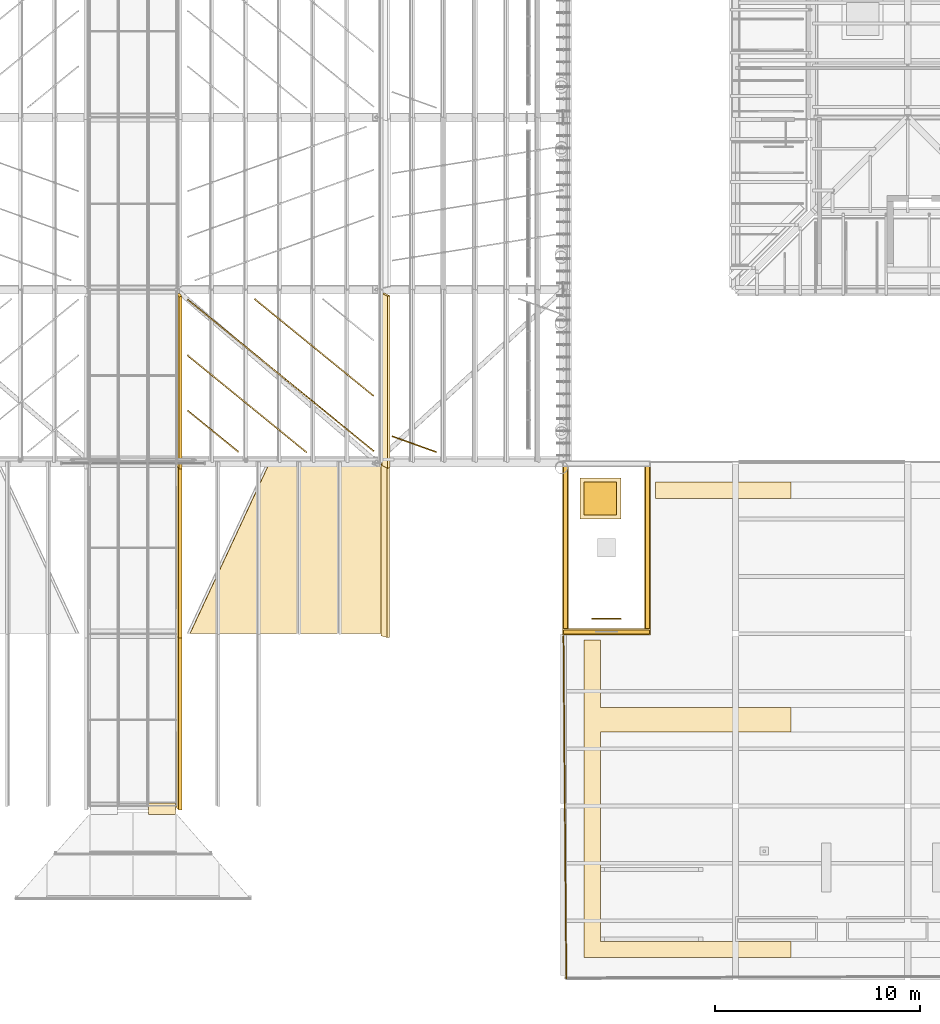
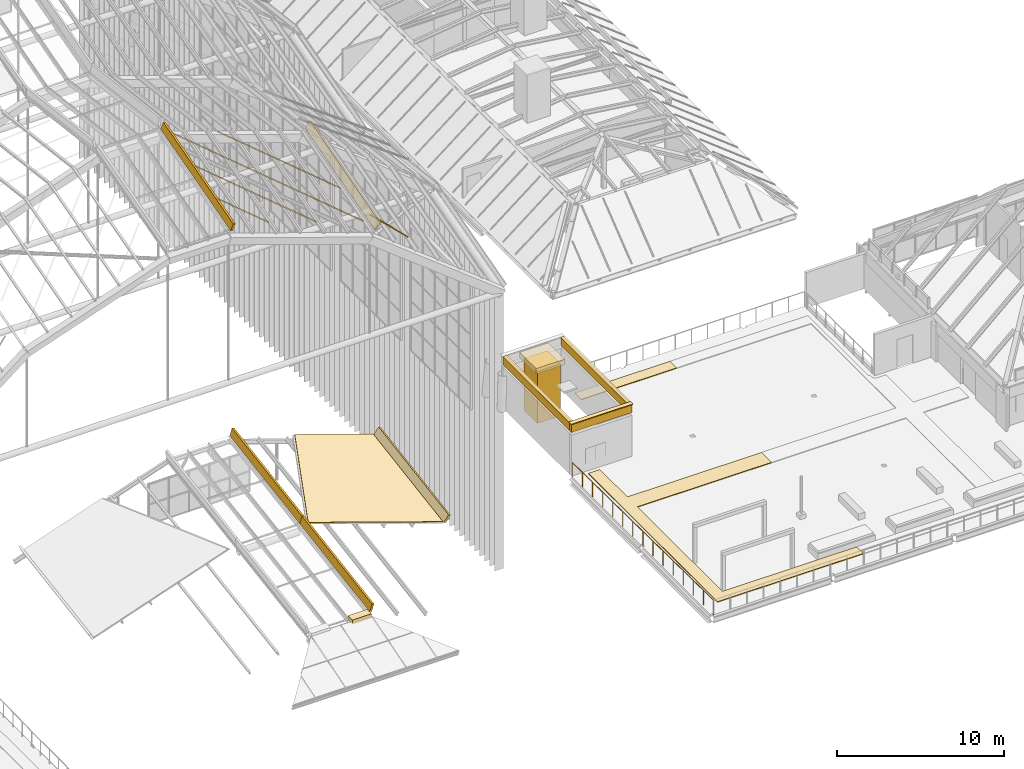
# One storey, part 103 of 126: 22 coverings, 2 railings.
"""IFC4 building model written with IfcOpenShell, lengths in metres."""

from ifc_helpers import new_model, si_unit, direction, frame, origin, origin_2d, place, context, subcontext, project, spatial, polyline, rectangle, circle, outline, extrude, material, layer, layer_set, material_profile, profile_set, type_object, element, save


model = new_model("IFC4")

# Units and contexts
model_context = context("Model", 3, precision=1e-05, world=origin(), true_north=direction((0.0, 1.0)))
body_context = subcontext(model_context, "Body", "Model", "MODEL_VIEW")
ifc_project = project(units=[si_unit("LENGTHUNIT", "METRE"), si_unit("AREAUNIT", "SQUARE_METRE"), si_unit("VOLUMEUNIT", "CUBIC_METRE"), si_unit("PLANEANGLEUNIT", "RADIAN"), si_unit("MASSUNIT", "GRAM", prefix="KILO")], contexts=[model_context])

# Site, building, storey
site_placement = place(None, origin())
site = spatial("IfcSite", under=ifc_project, at=site_placement, CompositionType="ELEMENT")
building_placement = place(site_placement, origin())
building = spatial("IfcBuilding", under=site, at=building_placement, Name="Sava Quay Ferry Terminal", CompositionType="ELEMENT")
storey_placement = place(building_placement, frame((0.0, 0.0, 15.0)))
storey = spatial("IfcBuildingStorey", under=building, at=storey_placement, Name="L03", CompositionType="ELEMENT", Elevation=15.0)

# Coverings
ifc_material_1 = material(Name="Steel S355", Category="steel")
ifc_material_profile = material_profile(ifc_material_1, rectangle(XDim=0.14990234375, YDim=0.60009765625, at=origin_2d()), Name="Cap 150 x 600")
ifc_profile_set = profile_set([ifc_material_profile], Name="Steel S355")
covering_type_1 = type_object("IfcCoveringType", Name="Crease capping 150x600", PredefinedType="MOLDING", material=ifc_profile_set)
for number, where, z_axis, x_axis, name in (
    (1, (65.26220703125, 50.128662109375, 19.864013671875), (0.0, 0.962818275279, 0.270149900588), (-0.987217634461, -0.043055946895, 0.15345203696), "Departure hall crease capping bay 1 crease 3"),
    (2, (75.342041015625, 50.156494140625, 16.40087890625), (0.0, 0.962818275279, 0.270149900588), (-0.885826064608, -0.12535426489, 0.446764469866), "Departure hall crease capping bay 1 crease 4"),
):
    element("IfcCovering", number, at=place(storey_placement, frame(where, z_axis=z_axis, x_axis=x_axis)), inside=storey, type_object=covering_type_1, Name=name, PredefinedType="MOLDING", context=body_context, shape_type="SweptSolid", body=[
        extrude(rectangle(XDim=0.14990234375, YDim=0.60009765625, at=origin_2d()), origin(), (0.0, 0.0, 1.0), 8.724609375),
    ])
covering_1_placement = place(storey_placement, frame((65.254150390625, 33.4521484375, 2.12109375), z_axis=(0.0, 0.987350755247, 0.158551209752), x_axis=(-0.986605539958, -0.025863541144, 0.161060813866)))
element("IfcCovering", 3, at=covering_1_placement, inside=storey, type_object=covering_type_1, Name="Arrivals hall crease capping bay 1 crease 3", PredefinedType="MOLDING", context=body_context, shape_type="SweptSolid", body=[
    extrude(rectangle(XDim=0.14990234375, YDim=0.60009765625, at=origin_2d()), origin(), (0.0, 0.0, 1.0), 8.507568359375),
])
covering_2_placement = place(storey_placement, frame((65.254150390625, 41.852294921875, 3.469970703125), z_axis=(0.0, 0.98736422906, 0.158467281081), x_axis=(-0.986605076852, -0.025850294201, 0.161065777305)))
element("IfcCovering", 4, at=covering_2_placement, inside=storey, type_object=covering_type_1, Name="Arrivals hall crease capping bay 2 crease 3", PredefinedType="MOLDING", context=body_context, shape_type="SweptSolid", body=[
    extrude(rectangle(XDim=0.14990234375, YDim=0.60009765625, at=origin_2d()), origin(), (0.0, 0.0, 1.0), 8.50732421875),
])
covering_3_placement = place(storey_placement, frame((75.31689453125, 41.867919921875, 0.007568359375), z_axis=(0.0, 0.987364949676, 0.158462791063), x_axis=(-0.881204241549, -0.074911025601, 0.466762705151)))
element("IfcCovering", 5, at=covering_3_placement, inside=storey, type_object=covering_type_1, Name="Arrivals hall crease capping bay 2 crease 4", PredefinedType="MOLDING", context=body_context, shape_type="SweptSolid", body=[
    extrude(rectangle(XDim=0.14990234375, YDim=0.60009765625, at=origin_2d()), origin(), (0.0, 0.0, 1.0), 8.507568359375),
])

# Railings
ifc_material_2 = material(Name="Steel S355", Category="steel")
railing_type_1 = type_object("IfcRailingType", Name="Edge guard 1100", PredefinedType="GUARDRAIL", material=ifc_material_2)
railing_1_placement = place(storey_placement, frame((84.139892578125, 25.199951171875, 0.0)))
element("IfcRailing", 6, at=railing_1_placement, inside=storey, type_object=railing_type_1, Name="Terrace edge guard", PredefinedType="GUARDRAIL", context=body_context, shape_type="SweptSolid", body=[
    extrude(circle(Radius=0.02392578125, at=origin_2d()), frame((0.0, 0.0, 1.076171875), z_axis=(-0.008386584633, 0.999964831981, 0.0), x_axis=(-0.999964831981, -0.008386584633, 0.0)), (0.0, 0.0, 1.0), 16.680419921875),
    extrude(circle(Radius=0.02099609375, at=origin_2d()), origin(), (0.0, 0.0, 1.0), 1.052001953125),
    extrude(circle(Radius=0.02099609375, at=origin_2d()), frame((-0.010009765625, 1.19140625, 0.0)), (0.0, 0.0, 1.0), 1.052001953125),
    extrude(circle(Radius=0.02099609375, at=origin_2d()), frame((-0.02001953125, 2.3828125, 0.0)), (0.0, 0.0, 1.0), 1.052001953125),
    extrude(circle(Radius=0.02099609375, at=origin_2d()), frame((-0.030029296875, 3.57421875, 0.0)), (0.0, 0.0, 1.0), 1.052001953125),
    extrude(circle(Radius=0.02099609375, at=origin_2d()), frame((-0.0400390625, 4.765625, 0.0)), (0.0, 0.0, 1.0), 1.052001953125),
    extrude(circle(Radius=0.02099609375, at=origin_2d()), frame((-0.050048828125, 5.95703125, 0.0)), (0.0, 0.0, 1.0), 1.052001953125),
    extrude(circle(Radius=0.02099609375, at=origin_2d()), frame((-0.06005859375, 7.1484375, 0.0)), (0.0, 0.0, 1.0), 1.052001953125),
    extrude(circle(Radius=0.02099609375, at=origin_2d()), frame((-0.06982421875, 8.33984375, 0.0)), (0.0, 0.0, 1.0), 1.052001953125),
    extrude(circle(Radius=0.02099609375, at=origin_2d()), frame((-0.079833984375, 9.531494140625, 0.0)), (0.0, 0.0, 1.0), 1.052001953125),
    extrude(circle(Radius=0.02099609375, at=origin_2d()), frame((-0.08984375, 10.722900390625, 0.0)), (0.0, 0.0, 1.0), 1.052001953125),
    extrude(circle(Radius=0.02099609375, at=origin_2d()), frame((-0.099853515625, 11.914306640625, 0.0)), (0.0, 0.0, 1.0), 1.052001953125),
    extrude(circle(Radius=0.02099609375, at=origin_2d()), frame((-0.10986328125, 13.105712890625, 0.0)), (0.0, 0.0, 1.0), 1.052001953125),
    extrude(circle(Radius=0.02099609375, at=origin_2d()), frame((-0.119873046875, 14.297119140625, 0.0)), (0.0, 0.0, 1.0), 1.052001953125),
    extrude(circle(Radius=0.02099609375, at=origin_2d()), frame((-0.1298828125, 15.488525390625, 0.0)), (0.0, 0.0, 1.0), 1.052001953125),
    extrude(circle(Radius=0.02099609375, at=origin_2d()), frame((-0.139892578125, 16.679931640625, 0.0)), (0.0, 0.0, 1.0), 1.052001953125),
])
ifc_material_3 = material(Name="Steel S355", Category="steel")
railing_type_2 = type_object("IfcRailingType", Name="Guard 1100", PredefinedType="GUARDRAIL", material=ifc_material_3)
railing_2_placement = place(storey_placement, frame((85.39990234375, 42.72998046875, 0.0)))
element("IfcRailing", 7, at=railing_2_placement, inside=storey, type_object=railing_type_2, Name="Guard at stair well ST-P1 L03", PredefinedType="GUARDRAIL", context=body_context, shape_type="SweptSolid", body=[
    extrude(circle(Radius=0.02392578125, at=origin_2d()), frame((0.0, 0.0, 1.076171875), z_axis=(1.0, 0.0, 0.0), x_axis=(0.0, 1.0, 0.0)), (0.0, 0.0, 1.0), 1.400146484375),
    extrude(circle(Radius=0.02099609375, at=origin_2d()), origin(), (0.0, 0.0, 1.0), 1.052001953125),
    extrude(circle(Radius=0.02099609375, at=origin_2d()), frame((0.7001953125, 0.0, 0.0)), (0.0, 0.0, 1.0), 1.052001953125),
    extrude(circle(Radius=0.02099609375, at=origin_2d()), frame((1.400146484375, 0.0, 0.0)), (0.0, 0.0, 1.0), 1.052001953125),
])

# Coverings
ifc_material_4 = material(Name="Limestone Mutalj", Category="masonry")
ifc_layer_1 = layer(ifc_material_4, 0.050048828125)
ifc_layer_set_1 = layer_set([ifc_layer_1], Name="Limestone Mutalj")
covering_type_2 = type_object("IfcCoveringType", Name="Overrun coping 300", PredefinedType="MOLDING", material=ifc_layer_set_1)
covering_4_placement = place(storey_placement, frame((86.10009765625, 42.10009765625, 3.7998046875), z_axis=(0.0, 0.0, 1.0), x_axis=(1.0, 0.0, 0.0)))
element("IfcCovering", 8, at=covering_4_placement, inside=storey, type_object=covering_type_2, Name="Overrun coping ST-P1 S", PredefinedType="MOLDING", context=body_context, shape_type="SweptSolid", body=[
    extrude(rectangle(XDim=4.300048828125, YDim=0.300048828125, at=origin_2d()), origin(), (0.0, 0.0, 1.0), 0.050048828125),
])
for number, where, z_axis, x_axis, name in (
    (9, (84.10009765625, 46.199951171875, 3.7998046875), (0.0, 0.0, 1.0), (1.0, 0.0, 0.0), "Overrun coping ST-P1 W"),
    (10, (88.10009765625, 46.199951171875, 3.7998046875), (0.0, 0.0, 1.0), (1.0, 0.0, 0.0), "Overrun coping ST-P1 E"),
):
    element("IfcCovering", number, at=place(storey_placement, frame(where, z_axis=z_axis, x_axis=x_axis)), inside=storey, type_object=covering_type_2, Name=name, PredefinedType="MOLDING", context=body_context, shape_type="SweptSolid", body=[
        extrude(rectangle(XDim=0.300048828125, YDim=7.89990234375, at=origin_2d()), origin(), (0.0, 0.0, 1.0), 0.050048828125),
    ])
ifc_material_5 = material(Name="Limestone Mutalj", Category="masonry")
ifc_layer_2 = layer(ifc_material_5, 0.199951171875)
ifc_layer_set_2 = layer_set([ifc_layer_2], Name="Limestone Mutalj")
covering_type_3 = type_object("IfcCoveringType", Name="Overrun parapet 200", PredefinedType="MOLDING", material=ifc_layer_set_2)
covering_5_placement = place(storey_placement, frame((86.10009765625, 42.10009765625, 3.199951171875), z_axis=(0.0, 0.0, 1.0), x_axis=(1.0, 0.0, 0.0)))
element("IfcCovering", 11, at=covering_5_placement, inside=storey, type_object=covering_type_3, Name="Overrun parapet ST-P1 S", PredefinedType="MOLDING", context=body_context, shape_type="SweptSolid", body=[
    extrude(rectangle(XDim=4.199951171875, YDim=0.199951171875, at=origin_2d()), origin(), (0.0, 0.0, 1.0), 0.60009765625),
])
for number, where, z_axis, x_axis, name in (
    (12, (84.10009765625, 46.199951171875, 3.199951171875), (0.0, 0.0, 1.0), (1.0, 0.0, 0.0), "Overrun parapet ST-P1 W"),
    (13, (88.10009765625, 46.199951171875, 3.199951171875), (0.0, 0.0, 1.0), (1.0, 0.0, 0.0), "Overrun parapet ST-P1 E"),
):
    element("IfcCovering", number, at=place(storey_placement, frame(where, z_axis=z_axis, x_axis=x_axis)), inside=storey, type_object=covering_type_3, Name=name, PredefinedType="MOLDING", context=body_context, shape_type="SweptSolid", body=[
        extrude(rectangle(XDim=0.199951171875, YDim=8.0, at=origin_2d()), origin(), (0.0, 0.0, 1.0), 0.60009765625),
    ])
ifc_material_6 = material(Name="Limestone Mutalj", Category="masonry")
ifc_layer_3 = layer(ifc_material_6, 1.60009765625)
ifc_layer_set_3 = layer_set([ifc_layer_3], Name="Limestone Mutalj")
covering_type_4 = type_object("IfcCoveringType", Name="Pavilion corner pier 1600", PredefinedType="CLADDING", material=ifc_layer_set_3)
covering_6_placement = place(storey_placement, frame((85.800048828125, 48.60009765625, 0.0), z_axis=(0.0, 0.0, 1.0), x_axis=(1.0, 0.0, 0.0)))
element("IfcCovering", 14, at=covering_6_placement, inside=storey, type_object=covering_type_4, Name="Pavilion corner pier", PredefinedType="CLADDING", context=body_context, shape_type="SweptSolid", body=[
    extrude(rectangle(XDim=1.60009765625, YDim=1.60009765625, at=origin_2d()), origin(), (0.0, 0.0, 1.0), 3.800048828125),
])
ifc_material_7 = material(Name="Limestone Mutalj", Category="masonry")
ifc_layer_4 = layer(ifc_material_7, 2.0)
ifc_layer_set_4 = layer_set([ifc_layer_4], Name="Limestone Mutalj")
covering_type_5 = type_object("IfcCoveringType", Name="Pavilion corner pier cap 2000", PredefinedType="MOLDING", material=ifc_layer_set_4)
covering_7_placement = place(storey_placement, frame((85.800048828125, 48.60009765625, 3.800048828125), z_axis=(0.0, 0.0, 1.0), x_axis=(1.0, 0.0, 0.0)))
element("IfcCovering", 15, at=covering_7_placement, inside=storey, type_object=covering_type_5, Name="Pavilion corner pier cap", PredefinedType="MOLDING", context=body_context, shape_type="SweptSolid", body=[
    extrude(rectangle(XDim=2.0, YDim=2.0, at=origin_2d()), origin(), (0.0, 0.0, 1.0), 0.39990234375),
])
ifc_material_8 = material(Name="Zinc standing seam")
ifc_layer_5 = layer(ifc_material_8, 0.0400390625)
ifc_layer_set_5 = layer_set([ifc_layer_5], Name="Zinc standing seam")
covering_type_6 = type_object("IfcCoveringType", Name="Roof seam rib 60", PredefinedType="ROOFING", material=ifc_layer_set_5)
covering_8_placement = place(storey_placement, frame((74.725341796875, 53.590087890625, 17.298583984375), z_axis=(0.314895030237, -0.25621380413, 0.913890368975), x_axis=(-0.708456022538, 0.577309056362, 0.405960980357)))
element("IfcCovering", 16, at=covering_8_placement, inside=storey, type_object=covering_type_6, Name="Roof seam rib", PredefinedType="ROOFING", context=body_context, shape_type="SweptSolid", body=[
    extrude(outline(polyline([(0.0, 0.0), (8.187244702441465, -7.058156142880634e-17), (8.187355870964819, -0.060053520297688026), (-2.9776070483520517e-05, -0.05986424143269176), (0.0, 0.0)])), origin(), (0.0, 0.0, -1.0), 0.0400390625),
])
covering_9_placement = place(storey_placement, frame((74.725341796875, 50.881103515625, 16.53857421875), z_axis=(0.31446572074, -0.256689866536, 0.913904602733), x_axis=(-0.708462846257, 0.577323230555, 0.405928913648)))
element("IfcCovering", 17, at=covering_9_placement, inside=storey, type_object=covering_type_6, Name="Roof seam rib", PredefinedType="ROOFING", context=body_context, shape_type="SweptSolid", body=[
    extrude(outline(polyline([(0.0, 0.0), (12.802803040528605, -7.999243628598052e-16), (12.802741647222902, -0.06020773922367608), (-2.937679796236395e-05, -0.05986424938461428), (0.0, 0.0)])), origin(), (0.0, 0.0, -1.0), 0.0400390625),
])
covering_10_placement = place(storey_placement, frame((71.45556640625, 50.836669921875, 17.652099609375), z_axis=(0.314794436036, -0.256285522532, 0.913904915175), x_axis=(-0.708464574289, 0.577321547595, 0.405928291279)))
element("IfcCovering", 18, at=covering_10_placement, inside=storey, type_object=covering_type_6, Name="Roof seam rib", PredefinedType="ROOFING", context=body_context, shape_type="SweptSolid", body=[
    extrude(outline(polyline([(0.0, 0.0), (8.187459505051017, -4.790005198040959e-16), (8.187397967453752, -0.060207727226582665), (0.00011142738669189106, -0.06005351566793331), (0.0, 0.0)])), origin(), (0.0, 0.0, -1.0), 0.0400390625),
])
covering_11_placement = place(storey_placement, frame((68.131103515625, 50.836669921875, 18.796630859375), z_axis=(0.314106095751, -0.257220739828, 0.913879013664), x_axis=(-0.70843204535, 0.577321114298, 0.405985674756)))
element("IfcCovering", 19, at=covering_11_placement, inside=storey, type_object=covering_type_6, Name="Roof seam rib", PredefinedType="ROOFING", context=body_context, shape_type="SweptSolid", body=[
    extrude(outline(polyline([(0.0, 0.0), (3.4951331922103135, -2.246466901389965e-16), (3.4949319257655014, -0.06001853728278861), (-6.03189071416918e-05, -0.06020773253524968), (0.0, 0.0)])), origin(), (0.0, 0.0, -1.0), 0.0400390625),
])
covering_12_placement = place(storey_placement, frame((77.79296875, 50.831787109375, 14.34521484375), z_axis=(0.60113236674, -0.215991283288, 0.769407332433), x_axis=(-0.724124379374, 0.26006063106, 0.638758445242)))
element("IfcCovering", 20, at=covering_12_placement, inside=storey, type_object=covering_type_6, Name="Roof seam rib", PredefinedType="ROOFING", context=body_context, shape_type="SweptSolid", body=[
    extrude(outline(polyline([(0.0, 0.0), (2.9571679712332175, -8.649222831003112e-17), (2.9571610577290284, -0.059926453256644224), (-6.913504189427072e-06, -0.059926453256644044), (0.0, 0.0)])), origin(), (0.0, 0.0, -1.0), 0.0400390625),
])
ifc_material_9 = material(Name="Zinc standing seam sheet")
ifc_layer_6 = layer(ifc_material_9, 0.0400390625)
ifc_layer_set_6 = layer_set([ifc_layer_6], Name="Zinc standing seam sheet")
covering_type_7 = type_object("IfcCoveringType", Name="Standing seam roofing 40", PredefinedType="ROOFING", material=ifc_layer_set_6)
covering_13_placement = place(storey_placement, frame((75.16650390625, 50.389892578125, 1.112548828125), z_axis=(0.321894753976, -0.150016182453, 0.934814908078), x_axis=(-1.805012e-06, -0.987367165578, -0.158448983383)))
element("IfcCovering", 21, at=covering_13_placement, inside=storey, type_object=covering_type_7, Name="Arrivals hall roofing bay 2 facet 4 (lower part)", PredefinedType="ROOFING", context=body_context, shape_type="SweptSolid", body=[
    extrude(outline(polyline([(0.0, 0.0), (8.4870916972106, -5.551115123125783e-17), (7.974973364225139, -9.914393406000508), (-0.29905482573508135, -5.789352677261582), (0.0, 0.0)])), origin(), (0.0, 0.0, -1.0), 0.0400390625),
])
ifc_material_10 = material(Name="Limestone Mutalj", Category="masonry")
ifc_layer_7 = layer(ifc_material_10, 0.050048828125)
ifc_layer_set_7 = layer_set([ifc_layer_7], Name="Limestone Mutalj")
covering_type_8 = type_object("IfcCoveringType", Name="Stone paving band 50", PredefinedType="FLOORING", material=ifc_layer_set_7)
covering_14_placement = place(storey_placement, origin())
element("IfcCovering", 22, at=covering_14_placement, inside=storey, type_object=covering_type_8, Name="Stone paving band", PredefinedType="FLOORING", context=body_context, shape_type="SweptSolid", body=[
    extrude(outline(polyline([(88.5, 48.60009765625), (95.10009765625, 48.60009765625), (95.10009765625, 49.39990234375), (88.5, 49.39990234375), (88.5, 48.60009765625)])), origin(), (0.0, 0.0, 1.0), 0.050048828125),
])
covering_15_placement = place(storey_placement, origin())
element("IfcCovering", 23, at=covering_15_placement, inside=storey, type_object=covering_type_8, Name="Stone paving band", PredefinedType="FLOORING", context=body_context, shape_type="SweptSolid", body=[
    extrude(outline(polyline([(85.0, 26.199951171875), (95.10009765625, 26.199951171875), (95.10009765625, 27.0), (85.800048828125, 27.0), (85.800048828125, 37.199951171875), (95.10009765625, 37.199951171875), (95.10009765625, 38.39990234375), (85.800048828125, 38.39990234375), (85.800048828125, 41.699951171875), (85.0, 41.699951171875), (85.0, 26.199951171875)])), origin(), (0.0, 0.0, 1.0), 0.050048828125),
])
ifc_material_11 = material(Name="Zinc sheet")
ifc_layer_8 = layer(ifc_material_11, 0.300048828125)
ifc_layer_set_8 = layer_set([ifc_layer_8], Name="Zinc sheet")
covering_type_9 = type_object("IfcCoveringType", Name="Zinc junction flashing 300", PredefinedType="CLADDING", material=ifc_layer_set_8)
covering_16_placement = place(storey_placement, frame((64.41650390625, 33.46533203125, 1.6025390625), z_axis=(0.0, 0.0, 1.0), x_axis=(1.0, 0.0, 0.0)))
element("IfcCovering", 24, at=covering_16_placement, inside=storey, type_object=covering_type_9, Name="Zinc junction flashing 2", PredefinedType="CLADDING", context=body_context, shape_type="SweptSolid", body=[
    extrude(rectangle(XDim=1.326904296875, YDim=0.54931640625, at=origin_2d()), origin(), (0.0, 0.0, 1.0), 0.300048828125),
])

save(model, "model.ifc")
